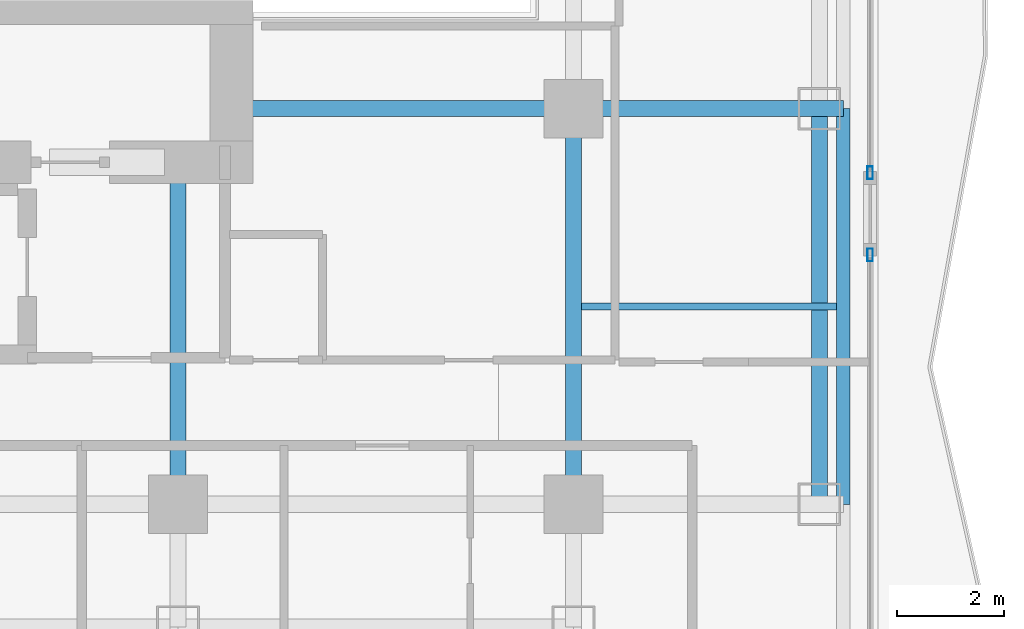
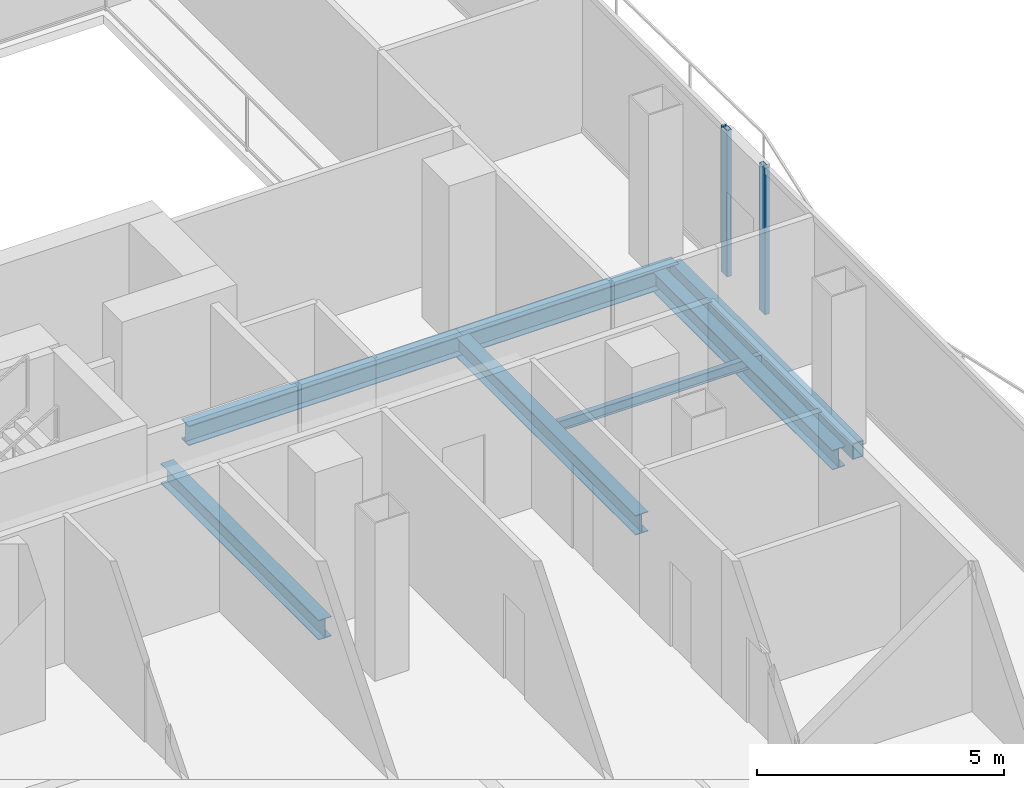
# One storey, part 9 of 24: 7 beams, 2 members, 2 elements without a shape of their own.
"""IFC4 building model written with IfcOpenShell, lengths in metres."""

from ifc_helpers import new_model, si_unit, direction, frame, origin, origin_2d, place, context, subcontext, project, spatial, hollow_rectangle, i_section, extrude, material, layer, layer_set, material_profile, profile_set, type_object, element, aggregate, save


model = new_model("IFC4")

# Units and contexts
model_context = context("Model", 3, precision=1e-05, world=origin(), true_north=direction((0.0, 1.0)))
body_context = subcontext(model_context, "Body", "Model", "MODEL_VIEW")
ifc_project = project(units=[si_unit("LENGTHUNIT", "METRE"), si_unit("AREAUNIT", "SQUARE_METRE"), si_unit("VOLUMEUNIT", "CUBIC_METRE"), si_unit("PLANEANGLEUNIT", "RADIAN"), si_unit("MASSUNIT", "GRAM", prefix="KILO")], contexts=[model_context])

# Site, building, storey
site_placement = place(None, origin())
site = spatial("IfcSite", under=ifc_project, at=site_placement, CompositionType="ELEMENT")
building_placement = place(site_placement, origin())
building = spatial("IfcBuilding", under=site, at=building_placement, Name="Khorvyn Point Tower", CompositionType="ELEMENT")
storey_placement = place(building_placement, frame((0.0, 0.0, 215.699951171875)))
storey = spatial("IfcBuildingStorey", under=building, at=storey_placement, Name="L53", CompositionType="ELEMENT", Elevation=215.699951171875)

# Curtain wall, member
ifc_material_1 = material(Name="Anodised aluminium 6063-T6 and laminated Low-E glass", Category="aluminium")
ifc_layer = layer(ifc_material_1, 0.18994140625)
ifc_layer_set = layer_set([ifc_layer], Name="Stick-Built Acoustic Curtain Wall CW-SYS-03")
curtain_wall_type = type_object("IfcCurtainWallType", Name="Stick-Built Acoustic Curtain Wall CW-SYS-03", PredefinedType="NOTDEFINED", material=ifc_layer_set)
curtain_wall_1_placement = place(storey_placement, origin())
curtain_wall_1 = element("IfcCurtainWall", 1, at=curtain_wall_1_placement, inside=storey, type_object=curtain_wall_type, Name="Curtain Wall", PredefinedType="NOTDEFINED")
ifc_material_2 = material(Name="Anodised aluminium 6063-T6", Category="aluminium")
ifc_material_profile_1 = material_profile(ifc_material_2, hollow_rectangle(XDim=0.10009765625, YDim=0.239990234375, WallThickness=0.0048828125, at=origin_2d()))
ifc_profile_set_1 = profile_set([ifc_material_profile_1], Name="Anodised aluminium 6063-T6 ALU-MUL-100x240")
member_type = type_object("IfcMemberType", Name="Anodised Aluminium 6063-T6 Mullion ALU-MUL-100x240", PredefinedType="MULLION", material=ifc_profile_set_1)
member_1_placement = place(storey_placement, frame((20.35009765625, -8.596923828125, 0.0), z_axis=(0.0, 0.0, 1.0), x_axis=(1.0, 0.0, 0.0)))
member_1 = element("IfcMember", 2, at=member_1_placement, type_object=member_type, Name="Transom", PredefinedType="MULLION", context=body_context, shape_type="SweptSolid", body=[
    extrude(hollow_rectangle(XDim=0.10009765625, YDim=0.239990234375, WallThickness=0.0048828125, at=origin_2d()), origin(), (0.0, 0.0, 1.0), 3.6201171875),
])
aggregate(curtain_wall_1, [member_1])

curtain_wall_2_placement = place(storey_placement, origin())
curtain_wall_2 = element("IfcCurtainWall", 3, at=curtain_wall_2_placement, inside=storey, type_object=curtain_wall_type, Name="Curtain Wall", PredefinedType="NOTDEFINED")
member_2_placement = place(storey_placement, frame((20.35009765625, -10.136962890625, 0.0), z_axis=(0.0, 0.0, 1.0), x_axis=(1.0, 0.0, 0.0)))
member_2 = element("IfcMember", 4, at=member_2_placement, type_object=member_type, Name="Transom", PredefinedType="MULLION", context=body_context, shape_type="SweptSolid", body=[
    extrude(hollow_rectangle(XDim=0.10009765625, YDim=0.239990234375, WallThickness=0.0048828125, at=origin_2d()), origin(), (0.0, 0.0, 1.0), 3.6201171875),
])
aggregate(curtain_wall_2, [member_2])

# Beams
ifc_material_3 = material(Name="Steel S355", Category="steel")
ifc_material_profile_2 = material_profile(ifc_material_3, i_section(OverallWidth=0.125, OverallDepth=0.25, WebThickness=0.006103515625, FlangeThickness=0.009033203125, at=origin_2d()))
ifc_profile_set_2 = profile_set([ifc_material_profile_2], Name="Steel S355 H250x125x6x9")
beam_type_1 = type_object("IfcBeamType", Name="Steel S355 Joist H250x125x6x9", PredefinedType="JOIST", material=ifc_profile_set_2)
beam_1_placement = place(storey_placement, frame((14.949951171875, -11.10009765625, -0.344970703125), z_axis=(1.0, 0.0, 0.0), x_axis=(0.0, 1.0, 0.0)))
element("IfcBeam", 5, at=beam_1_placement, inside=storey, type_object=beam_type_1, Name="Beam", PredefinedType="JOIST", context=body_context, shape_type="SweptSolid", body=[
    extrude(i_section(OverallWidth=0.125, OverallDepth=0.25, WebThickness=0.006103515625, FlangeThickness=0.009033203125, at=origin_2d()), origin(), (0.0, 0.0, 1.0), 4.775146484375),
])
ifc_material_profile_3 = material_profile(ifc_material_3, i_section(OverallWidth=0.300048828125, OverallDepth=0.488037109375, WebThickness=0.010986328125, FlangeThickness=0.01806640625, at=origin_2d()))
ifc_profile_set_3 = profile_set([ifc_material_profile_3], Name="Steel S355 H488x300x11x18")
beam_type_2 = type_object("IfcBeamType", Name="Steel S355 Spandrel H488x300x11x18", PredefinedType="SPANDREL", material=ifc_profile_set_3)
beam_2_placement = place(storey_placement, frame((8.39990234375, -7.39990234375, -0.4638671875), z_axis=(1.0, 0.0, 0.0), x_axis=(0.0, 1.0, 0.0)))
element("IfcBeam", 6, at=beam_2_placement, inside=storey, type_object=beam_type_2, Name="Beam", PredefinedType="SPANDREL", context=body_context, shape_type="SweptSolid", body=[
    extrude(i_section(OverallWidth=0.300048828125, OverallDepth=0.488037109375, WebThickness=0.010986328125, FlangeThickness=0.01806640625, at=origin_2d()), origin(), (0.0, 0.0, 1.0), 6.400146484375),
])
beam_3_placement = place(storey_placement, frame((14.800048828125, -7.39990234375, -0.4638671875), z_axis=(1.0, 0.0, 0.0), x_axis=(0.0, 1.0, 0.0)))
element("IfcBeam", 7, at=beam_3_placement, inside=storey, type_object=beam_type_2, Name="Beam", PredefinedType="SPANDREL", context=body_context, shape_type="SweptSolid", body=[
    extrude(i_section(OverallWidth=0.300048828125, OverallDepth=0.488037109375, WebThickness=0.010986328125, FlangeThickness=0.01806640625, at=origin_2d()), origin(), (0.0, 0.0, 1.0), 5.050048828125),
])
beam_4_placement = place(storey_placement, frame((14.800048828125, -14.800048828125, -0.4638671875), z_axis=(0.0, 1.0, 0.0), x_axis=(-1.0, 0.0, 0.0)))
element("IfcBeam", 8, at=beam_4_placement, inside=storey, type_object=beam_type_2, Name="Beam", PredefinedType="SPANDREL", context=body_context, shape_type="SweptSolid", body=[
    extrude(i_section(OverallWidth=0.300048828125, OverallDepth=0.488037109375, WebThickness=0.010986328125, FlangeThickness=0.01806640625, at=origin_2d()), origin(), (0.0, 0.0, 1.0), 7.400146484375),
])
beam_5_placement = place(storey_placement, frame((7.39990234375, -14.800048828125, -0.4638671875), z_axis=(0.0, 1.0, 0.0), x_axis=(-1.0, 0.0, 0.0)))
element("IfcBeam", 9, at=beam_5_placement, inside=storey, type_object=beam_type_2, Name="Beam", PredefinedType="SPANDREL", context=body_context, shape_type="SweptSolid", body=[
    extrude(i_section(OverallWidth=0.300048828125, OverallDepth=0.488037109375, WebThickness=0.010986328125, FlangeThickness=0.01806640625, at=origin_2d()), origin(), (0.0, 0.0, 1.0), 6.400146484375),
])
beam_6_placement = place(storey_placement, frame((19.39990234375, -14.800048828125, -0.4638671875), z_axis=(0.0, 1.0, 0.0), x_axis=(-1.0, 0.0, 0.0)))
element("IfcBeam", 10, at=beam_6_placement, inside=storey, type_object=beam_type_2, Name="Beam", PredefinedType="SPANDREL", context=body_context, shape_type="SweptSolid", body=[
    extrude(i_section(OverallWidth=0.300048828125, OverallDepth=0.488037109375, WebThickness=0.010986328125, FlangeThickness=0.01806640625, at=origin_2d()), origin(), (0.0, 0.0, 1.0), 7.400146484375),
])
ifc_material_profile_4 = material_profile(ifc_material_3, hollow_rectangle(XDim=0.25, YDim=0.39990234375, WallThickness=0.01611328125, at=origin_2d()))
ifc_profile_set_4 = profile_set([ifc_material_profile_4], Name="Steel S355 RHS400x250x16")
beam_type_3 = type_object("IfcBeamType", Name="Steel S355 Spandrel RHS400x250x16", PredefinedType="SPANDREL", material=ifc_profile_set_4)
beam_7_placement = place(storey_placement, frame((19.85009765625, -14.800048828125, -0.419921875), z_axis=(0.0, 1.0, 0.0), x_axis=(-1.0, 0.0, 0.0)))
element("IfcBeam", 11, at=beam_7_placement, inside=storey, type_object=beam_type_3, Name="Beam", PredefinedType="SPANDREL", context=body_context, shape_type="SweptSolid", body=[
    extrude(hollow_rectangle(XDim=0.25, YDim=0.39990234375, WallThickness=0.01611328125, at=origin_2d()), origin(), (0.0, 0.0, 1.0), 7.400146484375),
])

save(model, "model.ifc")
